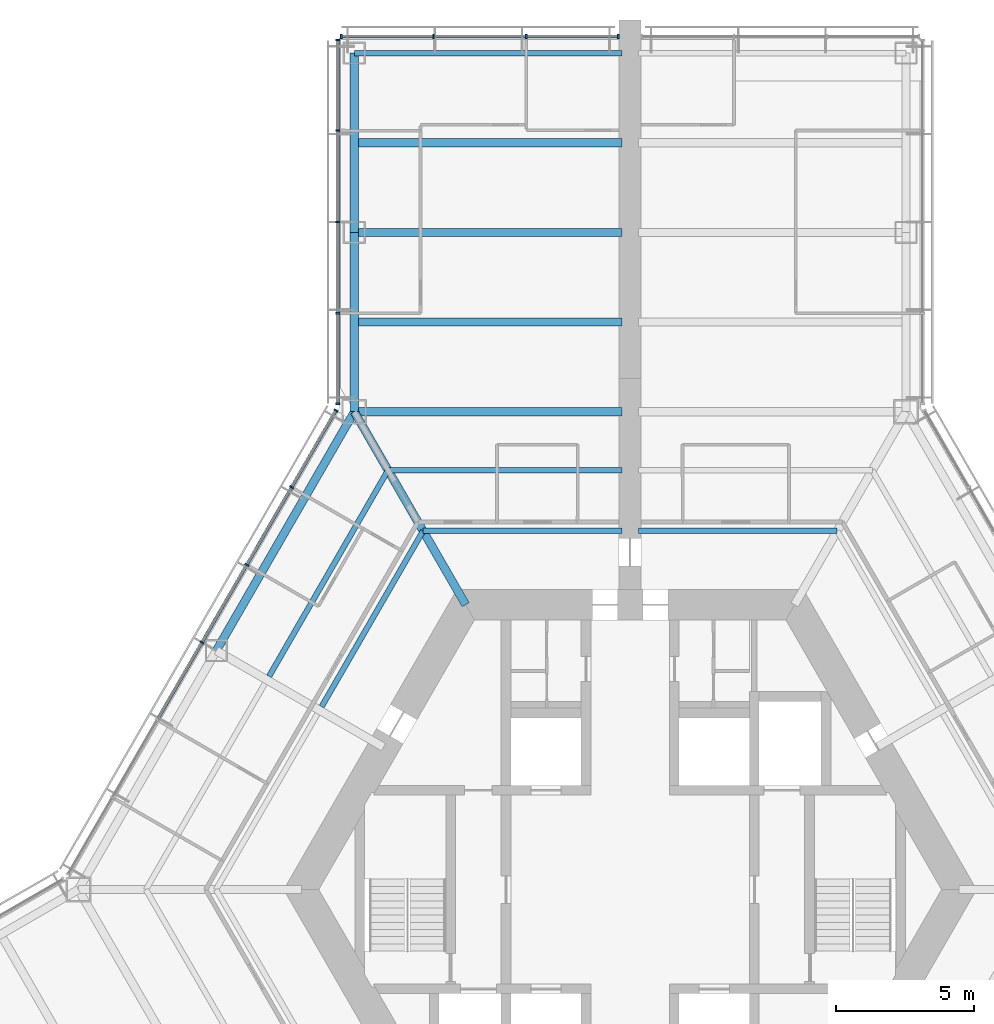
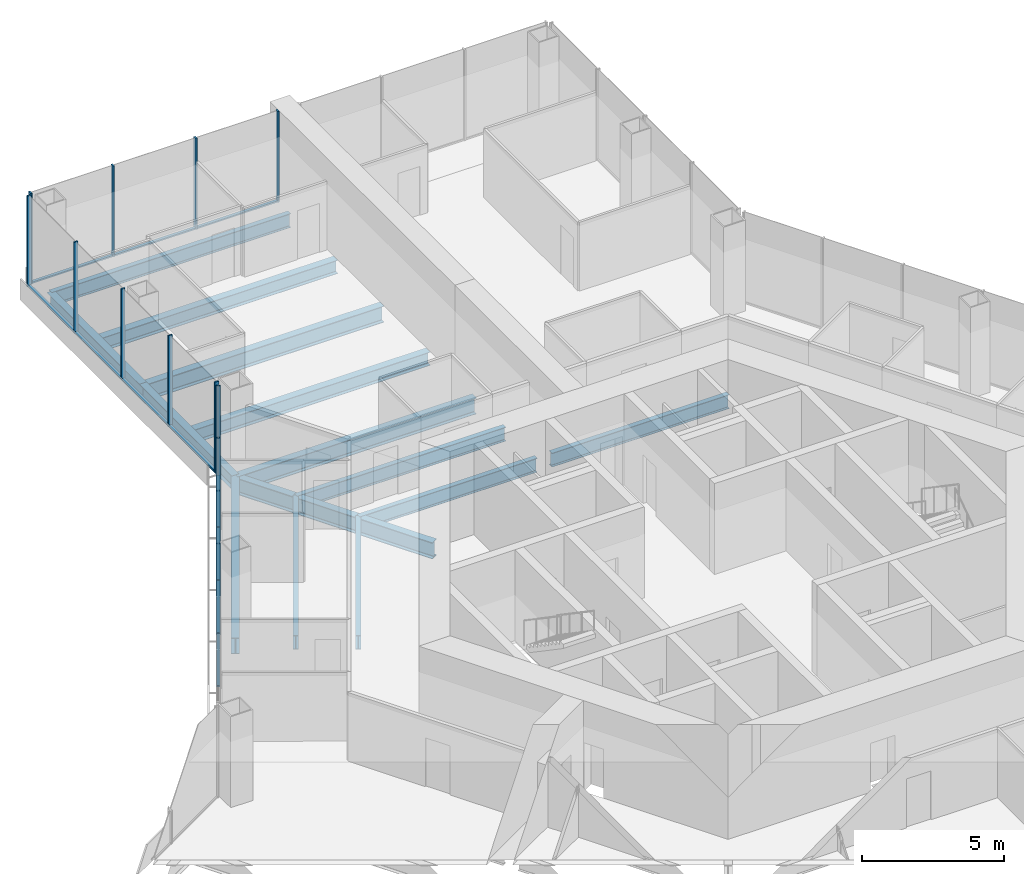
# One storey, part 7 of 19: 24 members, 14 beams, 3 elements without a shape of their own.
"""IFC4 building model written with IfcOpenShell, lengths in metres."""

from ifc_helpers import new_model, si_unit, direction, frame, origin, origin_2d, place, context, subcontext, project, spatial, rectangle, i_section, extrude, material, material_profile, profile_set, type_object, element, aggregate, save


model = new_model("IFC4")

# Units and contexts
model_context = context("Model", 3, precision=1e-05, world=origin(), true_north=direction((0.0, 1.0)))
body_context = subcontext(model_context, "Body", "Model", "MODEL_VIEW")
ifc_project = project(units=[si_unit("LENGTHUNIT", "METRE"), si_unit("AREAUNIT", "SQUARE_METRE"), si_unit("VOLUMEUNIT", "CUBIC_METRE"), si_unit("PLANEANGLEUNIT", "RADIAN"), si_unit("MASSUNIT", "GRAM", prefix="KILO")], contexts=[model_context])

# Site, building, storey
site_placement = place(None, origin())
site = spatial("IfcSite", under=ifc_project, at=site_placement, CompositionType="ELEMENT")
building_placement = place(site_placement, origin())
building = spatial("IfcBuilding", under=site, at=building_placement, Name="Kasaneha Research Tower", CompositionType="ELEMENT")
storey_placement = place(building_placement, frame((0.0, 0.0, 92.39990234375)))
storey = spatial("IfcBuildingStorey", under=building, at=storey_placement, Name="L23", CompositionType="ELEMENT", Elevation=92.39990234375)

# Beams
ifc_material_1 = material(Name="Steel SN490B", Category="steel")
ifc_material_profile_1 = material_profile(ifc_material_1, i_section(OverallWidth=0.199951171875, OverallDepth=0.60009765625, WebThickness=0.010986328125, FlangeThickness=0.01708984375, FilletRadius=0.012939453125, at=origin_2d()), Name="H-600x200x11x17")
ifc_profile_set_1 = profile_set([ifc_material_profile_1], Name="Steel SN490B")
beam_type_1 = type_object("IfcBeamType", Name="B1-3 secondary beam H-600x200x11x17", PredefinedType="JOIST", material=ifc_profile_set_1)
for number, where, z_axis, x_axis, name in (
    (1, (7.505615234375, 13.0, -0.449951171875), (-1.0, 0.0, 0.0), (0.0, -1.0, 0.0), "Secondary beam RS090L1 L23"),
    (2, (-7.505615234375, 13.0, -0.449951171875), (1.0, 0.0, 0.0), (0.0, 1.0, 0.0), "Secondary beam RS090R1 L23"),
):
    element("IfcBeam", number, at=place(storey_placement, frame(where, z_axis=z_axis, x_axis=x_axis)), inside=storey, type_object=beam_type_1, Name=name, PredefinedType="JOIST", context=body_context, shape_type="SweptSolid", body=[
        extrude(i_section(OverallWidth=0.199951171875, OverallDepth=0.60009765625, WebThickness=0.010986328125, FlangeThickness=0.01708984375, FilletRadius=0.012939453125, at=origin_2d()), origin(), (0.0, 0.0, 1.0), 7.20556640625),
    ])
beam_1_placement = place(storey_placement, frame((-8.775634765625, 15.199951171875, -0.449951171875), z_axis=(1.0, 0.0, 0.0), x_axis=(0.0, 1.0, 0.0)))
element("IfcBeam", 3, at=beam_1_placement, inside=storey, type_object=beam_type_1, Name="Secondary beam RS090R2 L23", PredefinedType="JOIST", context=body_context, shape_type="SweptSolid", body=[
    extrude(i_section(OverallWidth=0.199951171875, OverallDepth=0.60009765625, WebThickness=0.010986328125, FlangeThickness=0.01708984375, FilletRadius=0.012939453125, at=origin_2d()), origin(), (0.0, 0.0, 1.0), 8.4755859375),
])
beam_2_placement = place(storey_placement, frame((-7.505615234375, 13.0, -0.449951171875), z_axis=(-0.499994443168, -0.866028611999, 0.0), x_axis=(0.866028611999, -0.499994443168, 0.0)))
element("IfcBeam", 4, at=beam_2_placement, inside=storey, type_object=beam_type_1, Name="Secondary beam RS150L1 L23", PredefinedType="JOIST", context=body_context, shape_type="SweptSolid", body=[
    extrude(i_section(OverallWidth=0.199951171875, OverallDepth=0.60009765625, WebThickness=0.010986328125, FlangeThickness=0.01708984375, FilletRadius=0.012939453125, at=origin_2d()), origin(), (0.0, 0.0, 1.0), 7.35546875),
])
beam_3_placement = place(storey_placement, frame((-8.775634765625, 15.199951171875, -0.449951171875), z_axis=(-0.500017275495, -0.866015429543, 0.0), x_axis=(0.866015429543, -0.500017275495, 0.0)))
element("IfcBeam", 5, at=beam_3_placement, inside=storey, type_object=beam_type_1, Name="Secondary beam RS150L2 L23", PredefinedType="JOIST", context=body_context, shape_type="SweptSolid", body=[
    extrude(i_section(OverallWidth=0.199951171875, OverallDepth=0.60009765625, WebThickness=0.010986328125, FlangeThickness=0.01708984375, FilletRadius=0.012939453125, at=origin_2d()), origin(), (0.0, 0.0, 1.0), 8.625732421875),
])
ifc_material_2 = material(Name="Steel SN490B", Category="steel")
ifc_material_profile_2 = material_profile(ifc_material_2, i_section(OverallWidth=0.300048828125, OverallDepth=0.58203125, WebThickness=0.011962890625, FlangeThickness=0.01708984375, FilletRadius=0.012939453125, at=origin_2d()), Name="H-582x300x12x17")
ifc_profile_set_2 = profile_set([ifc_material_profile_2], Name="Steel SN490B")
beam_type_2 = type_object("IfcBeamType", Name="B2-3 secondary beam H-582x300x12x17", PredefinedType="JOIST", material=ifc_profile_set_2)
for number, where, z_axis, x_axis, name in (
    (6, (-10.0, 20.570556640625, -0.44091796875), (1.0, 0.0, 0.0), (0.0, 1.0, 0.0), "Secondary beam WBAN1 L23"),
    (7, (-10.0, 27.070556640625, -0.44091796875), (1.0, 0.0, 0.0), (0.0, 1.0, 0.0), "Secondary beam WBAN2 L23"),
):
    element("IfcBeam", number, at=place(storey_placement, frame(where, z_axis=z_axis, x_axis=x_axis)), inside=storey, type_object=beam_type_2, Name=name, PredefinedType="JOIST", context=body_context, shape_type="SweptSolid", body=[
        extrude(i_section(OverallWidth=0.300048828125, OverallDepth=0.58203125, WebThickness=0.011962890625, FlangeThickness=0.01708984375, FilletRadius=0.012939453125, at=origin_2d()), origin(), (0.0, 0.0, 1.0), 9.699951171875),
    ])

# Curtain wall, members
ifc_material_3 = material(Name="Glass and aluminium", Category="aluminium")
curtain_wall_type = type_object("IfcCurtainWallType", Name="Low-rise office curtain wall", PredefinedType="USERDEFINED", material=ifc_material_3)
curtain_wall_1_placement = place(storey_placement, origin())
curtain_wall_1 = element("IfcCurtainWall", 8, at=curtain_wall_1_placement, inside=storey, type_object=curtain_wall_type, Name="CW-O1 L23 run 10a", ObjectType="UNITISED CURTAIN WALL", PredefinedType="USERDEFINED")
ifc_material_4 = material(Name="Aluminium 6063-T6", Category="aluminium")
ifc_material_profile_3 = material_profile(ifc_material_4, rectangle(XDim=0.06005859375, YDim=0.159912109375, at=origin_2d()), Name="CW-O1 mullion 60x160")
ifc_profile_set_3 = profile_set([ifc_material_profile_3], Name="Aluminium 6063-T6")
member_type_1 = type_object("IfcMemberType", Name="CW-O1 mullion", PredefinedType="MULLION", material=ifc_profile_set_3)
member_1_placement = place(storey_placement, frame((-0.429931640625, 30.92041015625, 0.0), z_axis=(0.0, 0.0, 1.0), x_axis=(-1.0, 0.0, 0.0)))
member_1 = element("IfcMember", 9, at=member_1_placement, type_object=member_type_1, Name="CW-O1 mullion 1", PredefinedType="MULLION", context=body_context, shape_type="SweptSolid", body=[
    extrude(rectangle(XDim=0.06005859375, YDim=0.159912109375, at=origin_2d()), origin(), (0.0, 0.0, 1.0), 3.900146484375),
])
member_2_placement = place(storey_placement, frame((-3.7666015625, 30.92041015625, 0.0), z_axis=(0.0, 0.0, 1.0), x_axis=(-1.0, 0.0, 0.0)))
member_2 = element("IfcMember", 10, at=member_2_placement, type_object=member_type_1, Name="CW-O1 mullion 2", PredefinedType="MULLION", context=body_context, shape_type="SweptSolid", body=[
    extrude(rectangle(XDim=0.06005859375, YDim=0.159912109375, at=origin_2d()), origin(), (0.0, 0.0, 1.0), 3.900146484375),
])
member_3_placement = place(storey_placement, frame((-7.13330078125, 30.92041015625, 0.0), z_axis=(0.0, 0.0, 1.0), x_axis=(-1.0, 0.0, 0.0)))
member_3 = element("IfcMember", 11, at=member_3_placement, type_object=member_type_1, Name="CW-O1 mullion 3", PredefinedType="MULLION", context=body_context, shape_type="SweptSolid", body=[
    extrude(rectangle(XDim=0.06005859375, YDim=0.159912109375, at=origin_2d()), origin(), (0.0, 0.0, 1.0), 3.900146484375),
])
member_4_placement = place(storey_placement, frame((-10.469970703125, 30.92041015625, 0.0), z_axis=(0.0, 0.0, 1.0), x_axis=(-1.0, 0.0, 0.0)))
member_4 = element("IfcMember", 12, at=member_4_placement, type_object=member_type_1, Name="CW-O1 mullion 4", PredefinedType="MULLION", context=body_context, shape_type="SweptSolid", body=[
    extrude(rectangle(XDim=0.06005859375, YDim=0.159912109375, at=origin_2d()), origin(), (0.0, 0.0, 1.0), 3.900146484375),
])

curtain_wall_2_placement = place(storey_placement, origin())
curtain_wall_2 = element("IfcCurtainWall", 13, at=curtain_wall_2_placement, inside=storey, type_object=curtain_wall_type, Name="CW-O1 L23 run 11a", ObjectType="UNITISED CURTAIN WALL", PredefinedType="USERDEFINED")
member_5_placement = place(storey_placement, frame((-10.60009765625, 30.79052734375, 0.0), z_axis=(0.0, 0.0, 1.0), x_axis=(0.0, -1.0, 0.0)))
member_5 = element("IfcMember", 14, at=member_5_placement, type_object=member_type_1, Name="CW-O1 mullion 1", PredefinedType="MULLION", context=body_context, shape_type="SweptSolid", body=[
    extrude(rectangle(XDim=0.06005859375, YDim=0.159912109375, at=origin_2d()), origin(), (0.0, 0.0, 1.0), 3.900146484375),
])
member_6_placement = place(storey_placement, frame((-10.60009765625, 27.5107421875, 0.0), z_axis=(0.0, 0.0, 1.0), x_axis=(0.0, -1.0, 0.0)))
member_6 = element("IfcMember", 15, at=member_6_placement, type_object=member_type_1, Name="CW-O1 mullion 2", PredefinedType="MULLION", context=body_context, shape_type="SweptSolid", body=[
    extrude(rectangle(XDim=0.06005859375, YDim=0.159912109375, at=origin_2d()), origin(), (0.0, 0.0, 1.0), 3.900146484375),
])
member_7_placement = place(storey_placement, frame((-10.60009765625, 24.200927734375, 0.0), z_axis=(0.0, 0.0, 1.0), x_axis=(0.0, -1.0, 0.0)))
member_7 = element("IfcMember", 16, at=member_7_placement, type_object=member_type_1, Name="CW-O1 mullion 3", PredefinedType="MULLION", context=body_context, shape_type="SweptSolid", body=[
    extrude(rectangle(XDim=0.06005859375, YDim=0.159912109375, at=origin_2d()), origin(), (0.0, 0.0, 1.0), 3.900146484375),
])
member_8_placement = place(storey_placement, frame((-10.60009765625, 20.89111328125, 0.0), z_axis=(0.0, 0.0, 1.0), x_axis=(0.0, -1.0, 0.0)))
member_8 = element("IfcMember", 17, at=member_8_placement, type_object=member_type_1, Name="CW-O1 mullion 4", PredefinedType="MULLION", context=body_context, shape_type="SweptSolid", body=[
    extrude(rectangle(XDim=0.06005859375, YDim=0.159912109375, at=origin_2d()), origin(), (0.0, 0.0, 1.0), 3.900146484375),
])
member_9_placement = place(storey_placement, frame((-10.60009765625, 17.611328125, 0.0), z_axis=(0.0, 0.0, 1.0), x_axis=(0.0, -1.0, 0.0)))
member_9 = element("IfcMember", 18, at=member_9_placement, type_object=member_type_1, Name="CW-O1 mullion 5", PredefinedType="MULLION", context=body_context, shape_type="SweptSolid", body=[
    extrude(rectangle(XDim=0.06005859375, YDim=0.159912109375, at=origin_2d()), origin(), (0.0, 0.0, 1.0), 3.900146484375),
])

curtain_wall_3_placement = place(storey_placement, origin())
curtain_wall_3 = element("IfcCurtainWall", 19, at=curtain_wall_3_placement, inside=storey, type_object=curtain_wall_type, Name="CW-O1 L23 run 12a", ObjectType="UNITISED CURTAIN WALL", PredefinedType="USERDEFINED")
member_10_placement = place(storey_placement, frame((-10.6650390625, 17.36865234375, 0.0), z_axis=(0.0, 0.0, 1.0), x_axis=(-0.49999996188, -0.866025425793, 0.0)))
member_10 = element("IfcMember", 20, at=member_10_placement, type_object=member_type_1, Name="CW-O1 mullion 1", PredefinedType="MULLION", context=body_context, shape_type="SweptSolid", body=[
    extrude(rectangle(XDim=0.06005859375, YDim=0.159912109375, at=origin_2d()), origin(), (0.0, 0.0, 1.0), 3.900146484375),
])
member_11_placement = place(storey_placement, frame((-12.273193359375, 14.583251953125, 0.0), z_axis=(0.0, 0.0, 1.0), x_axis=(-0.49999996188, -0.866025425793, 0.0)))
member_11 = element("IfcMember", 21, at=member_11_placement, type_object=member_type_1, Name="CW-O1 mullion 2", PredefinedType="MULLION", context=body_context, shape_type="SweptSolid", body=[
    extrude(rectangle(XDim=0.06005859375, YDim=0.159912109375, at=origin_2d()), origin(), (0.0, 0.0, 1.0), 3.900146484375),
])
member_12_placement = place(storey_placement, frame((-13.896484375, 11.771728515625, 0.0), z_axis=(0.0, 0.0, 1.0), x_axis=(-0.49999996188, -0.866025425793, 0.0)))
member_12 = element("IfcMember", 22, at=member_12_placement, type_object=member_type_1, Name="CW-O1 mullion 3", PredefinedType="MULLION", context=body_context, shape_type="SweptSolid", body=[
    extrude(rectangle(XDim=0.06005859375, YDim=0.159912109375, at=origin_2d()), origin(), (0.0, 0.0, 1.0), 3.900146484375),
])
member_13_placement = place(storey_placement, frame((-15.51953125, 8.960205078125, 0.0), z_axis=(0.0, 0.0, 1.0), x_axis=(-0.49999996188, -0.866025425793, 0.0)))
member_13 = element("IfcMember", 23, at=member_13_placement, type_object=member_type_1, Name="CW-O1 mullion 4", PredefinedType="MULLION", context=body_context, shape_type="SweptSolid", body=[
    extrude(rectangle(XDim=0.06005859375, YDim=0.159912109375, at=origin_2d()), origin(), (0.0, 0.0, 1.0), 3.900146484375),
])

# Member
ifc_material_5 = material(Name="Aluminium 6063-T6", Category="aluminium")
ifc_material_profile_4 = material_profile(ifc_material_5, rectangle(XDim=0.1201171875, YDim=0.06005859375, at=origin_2d()), Name="CW-O1 transom 120x60")
ifc_profile_set_4 = profile_set([ifc_material_profile_4], Name="Aluminium 6063-T6")
member_type_2 = type_object("IfcMemberType", Name="CW-O1 transom", PredefinedType="USERDEFINED", material=ifc_profile_set_4)
member_14_placement = place(storey_placement, frame((-0.4599609375, 30.92041015625, 0.030029296875), z_axis=(-1.0, 0.0, 0.0), x_axis=(0.0, -1.0, 0.0)))
member_14 = element("IfcMember", 24, at=member_14_placement, type_object=member_type_2, Name="CW-O1 transom 1", ObjectType="TRANSOM", PredefinedType="USERDEFINED", context=body_context, shape_type="SweptSolid", body=[
    extrude(rectangle(XDim=0.1201171875, YDim=0.06005859375, at=origin_2d()), origin(), (0.0, 0.0, 1.0), 3.276611328125),
])

member_15_placement = place(storey_placement, frame((-3.796630859375, 30.92041015625, 0.030029296875), z_axis=(-1.0, 0.0, 0.0), x_axis=(0.0, -1.0, 0.0)))
member_15 = element("IfcMember", 25, at=member_15_placement, type_object=member_type_2, Name="CW-O1 transom 2", ObjectType="TRANSOM", PredefinedType="USERDEFINED", context=body_context, shape_type="SweptSolid", body=[
    extrude(rectangle(XDim=0.1201171875, YDim=0.06005859375, at=origin_2d()), origin(), (0.0, 0.0, 1.0), 3.306640625),
])

member_16_placement = place(storey_placement, frame((-7.163330078125, 30.92041015625, 0.030029296875), z_axis=(-1.0, 0.0, 0.0), x_axis=(0.0, -1.0, 0.0)))
member_16 = element("IfcMember", 26, at=member_16_placement, type_object=member_type_2, Name="CW-O1 transom 3", ObjectType="TRANSOM", PredefinedType="USERDEFINED", context=body_context, shape_type="SweptSolid", body=[
    extrude(rectangle(XDim=0.1201171875, YDim=0.06005859375, at=origin_2d()), origin(), (0.0, 0.0, 1.0), 3.276611328125),
])

aggregate(curtain_wall_1, [member_1, member_2, member_3, member_4, member_14, member_15, member_16])

member_17_placement = place(storey_placement, frame((-10.60009765625, 30.760498046875, 0.030029296875), z_axis=(0.0, -1.0, 0.0), x_axis=(1.0, 0.0, 0.0)))
member_17 = element("IfcMember", 27, at=member_17_placement, type_object=member_type_2, Name="CW-O1 transom 1", ObjectType="TRANSOM", PredefinedType="USERDEFINED", context=body_context, shape_type="SweptSolid", body=[
    extrude(rectangle(XDim=0.1201171875, YDim=0.06005859375, at=origin_2d()), origin(), (0.0, 0.0, 1.0), 3.2197265625),
])

member_18_placement = place(storey_placement, frame((-10.60009765625, 27.480712890625, 0.030029296875), z_axis=(0.0, -1.0, 0.0), x_axis=(1.0, 0.0, 0.0)))
member_18 = element("IfcMember", 28, at=member_18_placement, type_object=member_type_2, Name="CW-O1 transom 2", ObjectType="TRANSOM", PredefinedType="USERDEFINED", context=body_context, shape_type="SweptSolid", body=[
    extrude(rectangle(XDim=0.1201171875, YDim=0.06005859375, at=origin_2d()), origin(), (0.0, 0.0, 1.0), 3.249755859375),
])

member_19_placement = place(storey_placement, frame((-10.60009765625, 24.1708984375, 0.030029296875), z_axis=(0.0, -1.0, 0.0), x_axis=(1.0, 0.0, 0.0)))
member_19 = element("IfcMember", 29, at=member_19_placement, type_object=member_type_2, Name="CW-O1 transom 3", ObjectType="TRANSOM", PredefinedType="USERDEFINED", context=body_context, shape_type="SweptSolid", body=[
    extrude(rectangle(XDim=0.1201171875, YDim=0.06005859375, at=origin_2d()), origin(), (0.0, 0.0, 1.0), 3.249755859375),
])

member_20_placement = place(storey_placement, frame((-10.60009765625, 20.861083984375, 0.030029296875), z_axis=(0.0, -1.0, 0.0), x_axis=(1.0, 0.0, 0.0)))
member_20 = element("IfcMember", 30, at=member_20_placement, type_object=member_type_2, Name="CW-O1 transom 4", ObjectType="TRANSOM", PredefinedType="USERDEFINED", context=body_context, shape_type="SweptSolid", body=[
    extrude(rectangle(XDim=0.1201171875, YDim=0.06005859375, at=origin_2d()), origin(), (0.0, 0.0, 1.0), 3.2197265625),
])

aggregate(curtain_wall_2, [member_5, member_6, member_7, member_8, member_9, member_17, member_18, member_19, member_20])

member_21_placement = place(storey_placement, frame((-10.679931640625, 17.3427734375, 0.030029296875), z_axis=(-0.500023726918, -0.866011704609, 0.0), x_axis=(0.866011704609, -0.500023726918, 0.0)))
member_21 = element("IfcMember", 31, at=member_21_placement, type_object=member_type_2, Name="CW-O1 transom 1", ObjectType="TRANSOM", PredefinedType="USERDEFINED", context=body_context, shape_type="SweptSolid", body=[
    extrude(rectangle(XDim=0.1201171875, YDim=0.06005859375, at=origin_2d()), origin(), (0.0, 0.0, 1.0), 3.156494140625),
])

member_22_placement = place(storey_placement, frame((-12.2880859375, 14.55712890625, 0.030029296875), z_axis=(-0.500012062035, -0.866018439653, 0.0), x_axis=(0.866018439653, -0.500012062035, 0.0)))
member_22 = element("IfcMember", 32, at=member_22_placement, type_object=member_type_2, Name="CW-O1 transom 2", ObjectType="TRANSOM", PredefinedType="USERDEFINED", context=body_context, shape_type="SweptSolid", body=[
    extrude(rectangle(XDim=0.1201171875, YDim=0.06005859375, at=origin_2d()), origin(), (0.0, 0.0, 1.0), 3.1865234375),
])

member_23_placement = place(storey_placement, frame((-13.911376953125, 11.745849609375, 0.030029296875), z_axis=(-0.500012062035, -0.866018439653, 0.0), x_axis=(0.866018439653, -0.500012062035, 0.0)))
member_23 = element("IfcMember", 33, at=member_23_placement, type_object=member_type_2, Name="CW-O1 transom 3", ObjectType="TRANSOM", PredefinedType="USERDEFINED", context=body_context, shape_type="SweptSolid", body=[
    extrude(rectangle(XDim=0.1201171875, YDim=0.06005859375, at=origin_2d()), origin(), (0.0, 0.0, 1.0), 3.1865234375),
])

member_24_placement = place(storey_placement, frame((-15.53466796875, 8.934326171875, 0.030029296875), z_axis=(-0.500012062035, -0.866018439653, 0.0), x_axis=(0.866018439653, -0.500012062035, 0.0)))
member_24 = element("IfcMember", 34, at=member_24_placement, type_object=member_type_2, Name="CW-O1 transom 4", ObjectType="TRANSOM", PredefinedType="USERDEFINED", context=body_context, shape_type="SweptSolid", body=[
    extrude(rectangle(XDim=0.1201171875, YDim=0.06005859375, at=origin_2d()), origin(), (0.0, 0.0, 1.0), 3.1865234375),
])

aggregate(curtain_wall_3, [member_10, member_11, member_12, member_13, member_21, member_22, member_23, member_24])

# Beams
ifc_material_6 = material(Name="Steel SN490B", Category="steel")
ifc_material_profile_5 = material_profile(ifc_material_6, i_section(OverallWidth=0.300048828125, OverallDepth=0.699951171875, WebThickness=0.012939453125, FlangeThickness=0.02392578125, FilletRadius=0.01806640625, at=origin_2d()), Name="H-700x300x13x24")
ifc_profile_set_5 = profile_set([ifc_material_profile_5], Name="Steel SN490B")
beam_type_3 = type_object("IfcBeamType", Name="G1-3 radial girder H-700x300x13x24", PredefinedType="BEAM", material=ifc_profile_set_5)
beam_4_placement = place(storey_placement, frame((-5.961181640625, 10.324951171875, -0.5), z_axis=(-0.49999105496, 0.866030568144, 0.0), x_axis=(-0.866030568144, -0.49999105496, 0.0)))
element("IfcBeam", 35, at=beam_4_placement, inside=storey, type_object=beam_type_3, Name="Radial girder RV120 L23", PredefinedType="BEAM", context=body_context, shape_type="SweptSolid", body=[
    extrude(i_section(OverallWidth=0.300048828125, OverallDepth=0.699951171875, WebThickness=0.012939453125, FlangeThickness=0.02392578125, FilletRadius=0.01806640625, at=origin_2d()), origin(), (0.0, 0.0, 1.0), 8.077880859375),
])
ifc_material_7 = material(Name="Steel SN490B", Category="steel")
ifc_material_profile_6 = material_profile(ifc_material_7, i_section(OverallWidth=0.300048828125, OverallDepth=0.69189453125, WebThickness=0.012939453125, FlangeThickness=0.02001953125, FilletRadius=0.01806640625, at=origin_2d()), Name="H-692x300x13x20")
ifc_profile_set_6 = profile_set([ifc_material_profile_6], Name="Steel SN490B")
beam_type_4 = type_object("IfcBeamType", Name="G3-3 plate edge girder H-692x300x13x20", PredefinedType="BEAM", material=ifc_profile_set_6)
beam_5_placement = place(storey_placement, frame((-10.0, 17.320556640625, -0.495849609375), z_axis=(1.0, 0.0, 0.0), x_axis=(0.0, 1.0, 0.0)))
element("IfcBeam", 36, at=beam_5_placement, inside=storey, type_object=beam_type_4, Name="Plate edge girder PEAN L23", PredefinedType="BEAM", context=body_context, shape_type="SweptSolid", body=[
    extrude(i_section(OverallWidth=0.300048828125, OverallDepth=0.69189453125, WebThickness=0.012939453125, FlangeThickness=0.02001953125, FilletRadius=0.01806640625, at=origin_2d()), origin(), (0.0, 0.0, 1.0), 9.699951171875),
])
ifc_material_8 = material(Name="Steel SN490B", Category="steel")
ifc_material_profile_7 = material_profile(ifc_material_8, i_section(OverallWidth=0.300048828125, OverallDepth=0.699951171875, WebThickness=0.012939453125, FlangeThickness=0.02392578125, FilletRadius=0.01806640625, at=origin_2d()), Name="H-700x300x13x24")
ifc_profile_set_7 = profile_set([ifc_material_profile_7], Name="Steel SN490B")
beam_type_5 = type_object("IfcBeamType", Name="G4-3 wing girder H-700x300x13x24", PredefinedType="BEAM", material=ifc_profile_set_7)
beam_6_placement = place(storey_placement, frame((-10.0, 23.820556640625, -0.5), z_axis=(1.0, 0.0, 0.0), x_axis=(0.0, 1.0, 0.0)))
element("IfcBeam", 37, at=beam_6_placement, inside=storey, type_object=beam_type_5, Name="Wing girder WGAN L23", PredefinedType="BEAM", context=body_context, shape_type="SweptSolid", body=[
    extrude(i_section(OverallWidth=0.300048828125, OverallDepth=0.699951171875, WebThickness=0.012939453125, FlangeThickness=0.02392578125, FilletRadius=0.01806640625, at=origin_2d()), origin(), (0.0, 0.0, 1.0), 9.699951171875),
])
ifc_material_9 = material(Name="Steel SN490B", Category="steel")
ifc_material_profile_8 = material_profile(ifc_material_9, i_section(OverallWidth=0.300048828125, OverallDepth=0.69189453125, WebThickness=0.012939453125, FlangeThickness=0.02001953125, FilletRadius=0.01806640625, at=origin_2d()), Name="H-692x300x13x20")
ifc_profile_set_8 = profile_set([ifc_material_profile_8], Name="Steel SN490B")
beam_type_6 = type_object("IfcBeamType", Name="SB1-3 spandrel beam H-692x300x13x20", PredefinedType="SPANDREL", material=ifc_profile_set_8)
beam_7_placement = place(storey_placement, frame((-10.0, 17.320556640625, -0.495849609375), z_axis=(-0.499993662806, -0.866029062534, 0.0), x_axis=(0.866029062534, -0.499993662806, 0.0)))
element("IfcBeam", 38, at=beam_7_placement, inside=storey, type_object=beam_type_6, Name="Spandrel beam SR150L L23", PredefinedType="SPANDREL", context=body_context, shape_type="SweptSolid", body=[
    extrude(i_section(OverallWidth=0.300048828125, OverallDepth=0.69189453125, WebThickness=0.012939453125, FlangeThickness=0.02001953125, FilletRadius=0.01806640625, at=origin_2d()), origin(), (0.0, 0.0, 1.0), 10.000244140625),
])
ifc_material_10 = material(Name="Steel SN490B", Category="steel")
ifc_material_profile_9 = material_profile(ifc_material_10, i_section(OverallWidth=0.300048828125, OverallDepth=0.58203125, WebThickness=0.011962890625, FlangeThickness=0.01708984375, FilletRadius=0.012939453125, at=origin_2d()), Name="H-582x300x12x17")
ifc_profile_set_9 = profile_set([ifc_material_profile_9], Name="Steel SN490B")
beam_type_7 = type_object("IfcBeamType", Name="SB2-3 spandrel beam H-582x300x12x17", PredefinedType="SPANDREL", material=ifc_profile_set_9)
for number, where, z_axis, x_axis, name in (
    (39, (-10.0, 17.320556640625, -0.44091796875), (0.0, 1.0, 0.0), (-1.0, 0.0, 0.0), "Spandrel beam WSAN1 L23"),
    (40, (-10.0, 23.820556640625, -0.44091796875), (0.0, 1.0, 0.0), (-1.0, 0.0, 0.0), "Spandrel beam WSAN2 L23"),
):
    element("IfcBeam", number, at=place(storey_placement, frame(where, z_axis=z_axis, x_axis=x_axis)), inside=storey, type_object=beam_type_7, Name=name, PredefinedType="SPANDREL", context=body_context, shape_type="SweptSolid", body=[
        extrude(i_section(OverallWidth=0.300048828125, OverallDepth=0.58203125, WebThickness=0.011962890625, FlangeThickness=0.01708984375, FilletRadius=0.012939453125, at=origin_2d()), origin(), (0.0, 0.0, 1.0), 6.5),
    ])
ifc_material_11 = material(Name="Steel SN490B", Category="steel")
ifc_material_profile_10 = material_profile(ifc_material_11, i_section(OverallWidth=0.199951171875, OverallDepth=0.60009765625, WebThickness=0.010986328125, FlangeThickness=0.01708984375, FilletRadius=0.012939453125, at=origin_2d()), Name="H-600x200x11x17")
ifc_profile_set_10 = profile_set([ifc_material_profile_10], Name="Steel SN490B")
beam_type_8 = type_object("IfcBeamType", Name="SB3-3 spandrel beam H-600x200x11x17", PredefinedType="SPANDREL", material=ifc_profile_set_10)
beam_8_placement = place(storey_placement, frame((-10.0, 30.320556640625, -0.449951171875), z_axis=(1.0, 0.0, 0.0), x_axis=(0.0, 1.0, 0.0)))
element("IfcBeam", 41, at=beam_8_placement, inside=storey, type_object=beam_type_8, Name="Spandrel beam WTAN L23", PredefinedType="SPANDREL", context=body_context, shape_type="SweptSolid", body=[
    extrude(i_section(OverallWidth=0.199951171875, OverallDepth=0.60009765625, WebThickness=0.010986328125, FlangeThickness=0.01708984375, FilletRadius=0.012939453125, at=origin_2d()), origin(), (0.0, 0.0, 1.0), 9.699951171875),
])

save(model, "model.ifc")
